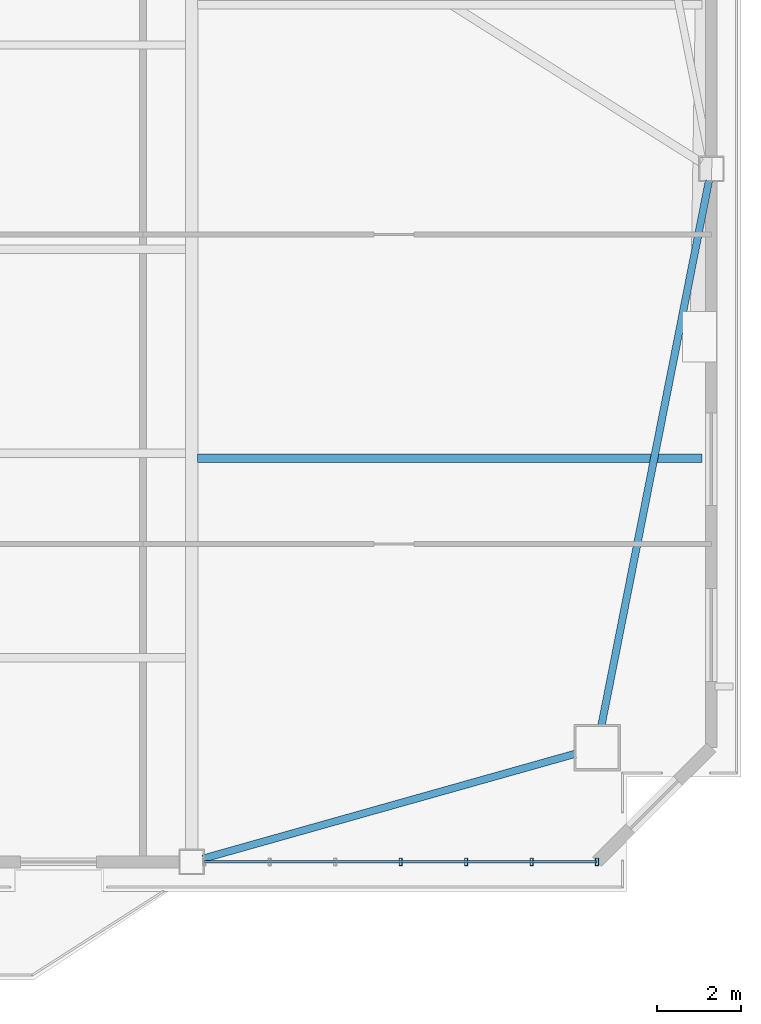
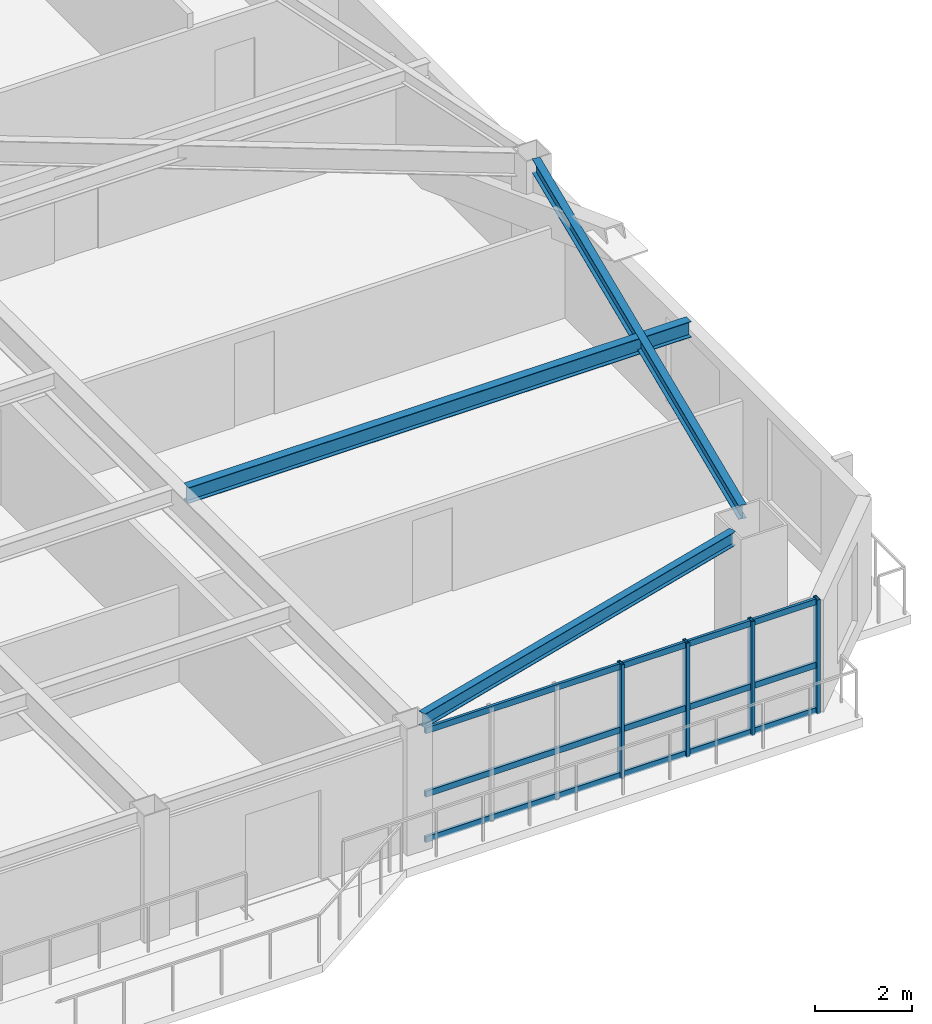
# One storey, part 6 of 16: 7 members, 3 beams, 1 element without a shape of its own.
"""IFC4 building model written with IfcOpenShell, lengths in metres."""

from ifc_helpers import new_model, si_unit, direction, frame, origin, origin_2d, place, context, subcontext, project, spatial, hollow_rectangle, i_section, extrude, source, transform, mapped, material, layer, layer_set, material_profile, profile_set, type_object, element, aggregate, save


model = new_model("IFC4")

# Units and contexts
model_context = context("Model", 3, precision=1e-05, world=origin(), true_north=direction((0.0, 1.0)))
body_context = subcontext(model_context, "Body", "Model", "MODEL_VIEW")
ifc_project = project(units=[si_unit("LENGTHUNIT", "METRE"), si_unit("AREAUNIT", "SQUARE_METRE"), si_unit("VOLUMEUNIT", "CUBIC_METRE"), si_unit("PLANEANGLEUNIT", "RADIAN"), si_unit("MASSUNIT", "GRAM", prefix="KILO")], contexts=[model_context])

# Site, building, storey
site_placement = place(None, origin())
site = spatial("IfcSite", under=ifc_project, at=site_placement, CompositionType="ELEMENT")
building_placement = place(site_placement, origin())
building = spatial("IfcBuilding", under=site, at=building_placement, Name="Giltprow Tower", CompositionType="ELEMENT")
storey_placement = place(building_placement, frame((0.0, 0.0, 230.39990234375)))
storey = spatial("IfcBuildingStorey", under=building, at=storey_placement, Name="L58", CompositionType="ELEMENT", Elevation=230.39990234375)

# Beams
ifc_material_1 = material(Name="Structural steel Q355B", Category="steel")
ifc_material_profile_1 = material_profile(ifc_material_1, i_section(OverallWidth=0.199951171875, OverallDepth=0.39990234375, WebThickness=0.008056640625, FlangeThickness=0.012939453125, at=origin_2d()), Name="HN 400x200x8x13")
ifc_profile_set_1 = profile_set([ifc_material_profile_1], Name="Structural steel Q355B")
beam_type_1 = type_object("IfcBeamType", Name="BM-JOIST-HN400", PredefinedType="JOIST", material=ifc_profile_set_1)
shared_shape_1 = source(origin(), body_context, "Body", "SweptSolid", [
    extrude(i_section(OverallWidth=0.199951171875, OverallDepth=0.39990234375, WebThickness=0.008056640625, FlangeThickness=0.012939453125, at=origin_2d()), origin(), (0.0, 0.0, 1.0), 11.951904296875),
])
beam_1_placement = place(storey_placement, frame((50.695068359375, 22.81591796875, 2.985107421875), z_axis=(1.0, 0.0, 0.0), x_axis=(0.0, 1.0, 0.0)))
element("IfcBeam", 1, at=beam_1_placement, inside=storey, type_object=beam_type_1, Name="L58 East Wing Floor Joist 1", PredefinedType="JOIST", context=body_context, shape_type="MappedRepresentation", body=[
    mapped(shared_shape_1, transform((0.0, 0.0, 0.0), x_axis=(1.0, 0.0, 0.0), y_axis=(0.0, 1.0, 0.0), z_axis=(0.0, 0.0, 1.0), scale=1.0)),
])
ifc_material_profile_2 = material_profile(ifc_material_1, i_section(OverallWidth=0.175048828125, OverallDepth=0.35009765625, WebThickness=0.007080078125, FlangeThickness=0.010986328125, at=origin_2d()), Name="HN 350x175x7x11")
ifc_profile_set_2 = profile_set([ifc_material_profile_2], Name="Structural steel Q355B")
beam_type_2 = type_object("IfcBeamType", Name="BM-SPAN-HN350", PredefinedType="SPANDREL", material=ifc_profile_set_2)
shared_shape_2 = source(origin(), body_context, "Body", "SweptSolid", [
    extrude(i_section(OverallWidth=0.175048828125, OverallDepth=0.35009765625, WebThickness=0.007080078125, FlangeThickness=0.010986328125, at=origin_2d()), origin(), (0.0, 0.0, 1.0), 9.164306640625),
])
beam_2_placement = place(storey_placement, frame((50.823974609375, 13.326904296875, 3.010009765625), z_axis=(0.962531726168, 0.27116909138, 0.0), x_axis=(-0.27116909138, 0.962531726168, 0.0)))
element("IfcBeam", 2, at=beam_2_placement, inside=storey, type_object=beam_type_2, Name="L58 Perimeter Spandrel Beam S4-MC_SE", PredefinedType="SPANDREL", context=body_context, shape_type="MappedRepresentation", body=[
    mapped(shared_shape_2, transform((0.0, 0.0, 0.0), x_axis=(1.0, 0.0, 0.0), y_axis=(0.0, 1.0, 0.0), z_axis=(0.0, 0.0, 1.0), scale=1.0)),
])
shared_shape_3 = source(origin(), body_context, "Body", "SweptSolid", [
    extrude(i_section(OverallWidth=0.175048828125, OverallDepth=0.35009765625, WebThickness=0.007080078125, FlangeThickness=0.010986328125, at=origin_2d()), origin(), (0.0, 0.0, 1.0), 13.162109375),
])
beam_3_placement = place(storey_placement, frame((60.263916015625, 16.48193359375, 3.010009765625), z_axis=(0.193593566524, 0.98108181667, 0.0), x_axis=(-0.98108181667, 0.193593566524, 0.0)))
element("IfcBeam", 3, at=beam_3_placement, inside=storey, type_object=beam_type_2, Name="L58 Perimeter Spandrel Beam MC_SE-E_MID", PredefinedType="SPANDREL", context=body_context, shape_type="MappedRepresentation", body=[
    mapped(shared_shape_3, transform((0.0, 0.0, 0.0), x_axis=(1.0, 0.0, 0.0), y_axis=(0.0, 1.0, 0.0), z_axis=(0.0, 0.0, 1.0), scale=1.0)),
])

# Curtain wall, members
ifc_material_2 = material(Name="Anodized bronze", Category="metal")
ifc_layer = layer(ifc_material_2, 0.179931640625, Name="Anodized bronze")
ifc_layer_set = layer_set([ifc_layer], Name="Anodized bronze")
curtain_wall_type = type_object("IfcCurtainWallType", Name="CW-RES-SKY", PredefinedType="NOTDEFINED", material=ifc_layer_set)
curtain_wall_placement = place(storey_placement, origin())
curtain_wall = element("IfcCurtainWall", 4, at=curtain_wall_placement, inside=storey, type_object=curtain_wall_type, Name="L58 South Recessed Curtain Wall 6", PredefinedType="NOTDEFINED")
ifc_material_profile_3 = material_profile(ifc_material_2, hollow_rectangle(XDim=0.074951171875, YDim=0.179931640625, WallThickness=0.008056640625, at=origin_2d()), Name="RHS 180x75x8")
ifc_profile_set_3 = profile_set([ifc_material_profile_3], Name="Anodized bronze")
member_type_1 = type_object("IfcMemberType", Name="CW-MULLION-180x75", PredefinedType="MULLION", material=ifc_profile_set_3)
shared_shape_4 = source(origin(), body_context, "Body", "SweptSolid", [
    extrude(hollow_rectangle(XDim=0.074951171875, YDim=0.179931640625, WallThickness=0.008056640625, at=origin_2d()), origin(), (0.0, 0.0, 1.0), 2.8701171875),
])
member_1_placement = place(storey_placement, frame((55.5048828125, 13.25, -0.02001953125), z_axis=(0.0, 0.0, 1.0), x_axis=(1.0, 0.0, 0.0)))
member_1 = element("IfcMember", 5, at=member_1_placement, type_object=member_type_1, Name="L58 South Recessed Curtain Wall 6 Mullion 4", PredefinedType="MULLION", context=body_context, shape_type="MappedRepresentation", body=[
    mapped(shared_shape_4, transform((0.0, 0.0, 0.0), x_axis=(1.0, 0.0, 0.0), y_axis=(0.0, 1.0, 0.0), z_axis=(0.0, 0.0, 1.0), scale=1.0)),
])
member_2_placement = place(storey_placement, frame((57.056884765625, 13.25, -0.02001953125), z_axis=(0.0, 0.0, 1.0), x_axis=(1.0, 0.0, 0.0)))
member_2 = element("IfcMember", 6, at=member_2_placement, type_object=member_type_1, Name="L58 South Recessed Curtain Wall 6 Mullion 5", PredefinedType="MULLION", context=body_context, shape_type="MappedRepresentation", body=[
    mapped(shared_shape_4, transform((0.0, 0.0, 0.0), x_axis=(1.0, 0.0, 0.0), y_axis=(0.0, 1.0, 0.0), z_axis=(0.0, 0.0, 1.0), scale=1.0)),
])
member_3_placement = place(storey_placement, frame((58.60791015625, 13.25, -0.02001953125), z_axis=(0.0, 0.0, 1.0), x_axis=(1.0, 0.0, 0.0)))
member_3 = element("IfcMember", 7, at=member_3_placement, type_object=member_type_1, Name="L58 South Recessed Curtain Wall 6 Mullion 6", PredefinedType="MULLION", context=body_context, shape_type="MappedRepresentation", body=[
    mapped(shared_shape_4, transform((0.0, 0.0, 0.0), x_axis=(1.0, 0.0, 0.0), y_axis=(0.0, 1.0, 0.0), z_axis=(0.0, 0.0, 1.0), scale=1.0)),
])
member_4_placement = place(storey_placement, frame((60.159912109375, 13.25, -0.02001953125), z_axis=(0.0, 0.0, 1.0), x_axis=(1.0, 0.0, 0.0)))
member_4 = element("IfcMember", 8, at=member_4_placement, type_object=member_type_1, Name="L58 South Recessed Curtain Wall 6 Mullion 7", PredefinedType="MULLION", context=body_context, shape_type="MappedRepresentation", body=[
    mapped(shared_shape_4, transform((0.0, 0.0, 0.0), x_axis=(1.0, 0.0, 0.0), y_axis=(0.0, 1.0, 0.0), z_axis=(0.0, 0.0, 1.0), scale=1.0)),
])
ifc_material_profile_4 = material_profile(ifc_material_2, hollow_rectangle(XDim=0.06494140625, YDim=0.14990234375, WallThickness=0.006103515625, at=origin_2d()), Name="RHS 150x65x6")
ifc_profile_set_4 = profile_set([ifc_material_profile_4], Name="Anodized bronze")
member_type_2 = type_object("IfcMemberType", Name="CW-TRANSOM-150x65", PredefinedType="USERDEFINED", material=ifc_profile_set_4)
shared_shape_5 = source(origin(), body_context, "Body", "SweptSolid", [
    extrude(hollow_rectangle(XDim=0.06494140625, YDim=0.14990234375, WallThickness=0.006103515625, at=origin_2d()), origin(), (0.0, 0.0, 1.0), 9.309814453125),
])
member_5_placement = place(storey_placement, frame((50.85009765625, 13.25, 0.0400390625), z_axis=(1.0, 0.0, 0.0), x_axis=(0.0, 1.0, 0.0)))
member_5 = element("IfcMember", 9, at=member_5_placement, type_object=member_type_2, Name="L58 South Recessed Curtain Wall 6 Transom 1", ObjectType="TRANSOM", PredefinedType="USERDEFINED", context=body_context, shape_type="MappedRepresentation", body=[
    mapped(shared_shape_5, transform((0.0, 0.0, 0.0), x_axis=(1.0, 0.0, 0.0), y_axis=(0.0, 1.0, 0.0), z_axis=(0.0, 0.0, 1.0), scale=1.0)),
])
member_6_placement = place(storey_placement, frame((50.85009765625, 13.25, 1.18212890625), z_axis=(1.0, 0.0, 0.0), x_axis=(0.0, 1.0, 0.0)))
member_6 = element("IfcMember", 10, at=member_6_placement, type_object=member_type_2, Name="L58 South Recessed Curtain Wall 6 Transom 2", ObjectType="TRANSOM", PredefinedType="USERDEFINED", context=body_context, shape_type="MappedRepresentation", body=[
    mapped(shared_shape_5, transform((0.0, 0.0, 0.0), x_axis=(1.0, 0.0, 0.0), y_axis=(0.0, 1.0, 0.0), z_axis=(0.0, 0.0, 1.0), scale=1.0)),
])
member_7_placement = place(storey_placement, frame((50.85009765625, 13.25, 2.775146484375), z_axis=(1.0, 0.0, 0.0), x_axis=(0.0, 1.0, 0.0)))
member_7 = element("IfcMember", 11, at=member_7_placement, type_object=member_type_2, Name="L58 South Recessed Curtain Wall 6 Transom 3", ObjectType="TRANSOM", PredefinedType="USERDEFINED", context=body_context, shape_type="MappedRepresentation", body=[
    mapped(shared_shape_5, transform((0.0, 0.0, 0.0), x_axis=(1.0, 0.0, 0.0), y_axis=(0.0, 1.0, 0.0), z_axis=(0.0, 0.0, 1.0), scale=1.0)),
])
aggregate(curtain_wall, [member_1, member_2, member_3, member_4, member_5, member_6, member_7])

save(model, "model.ifc")
